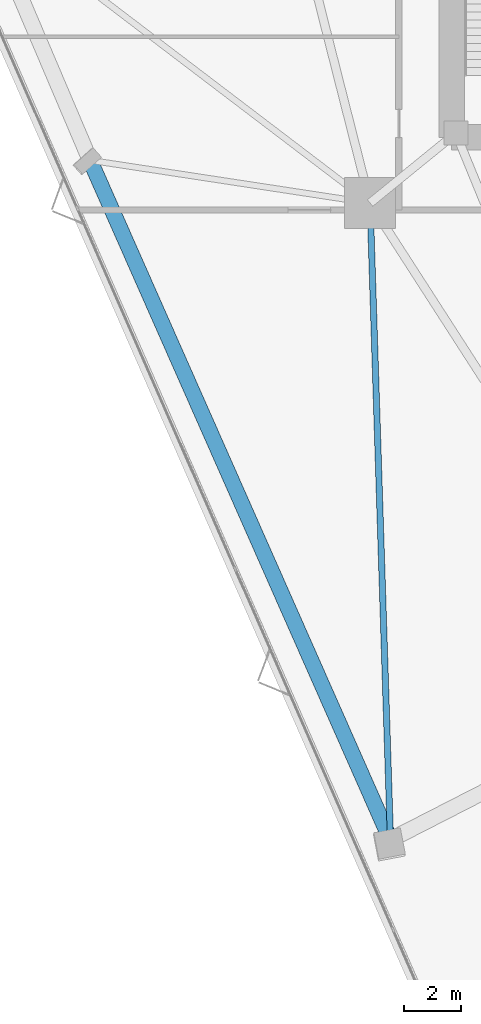
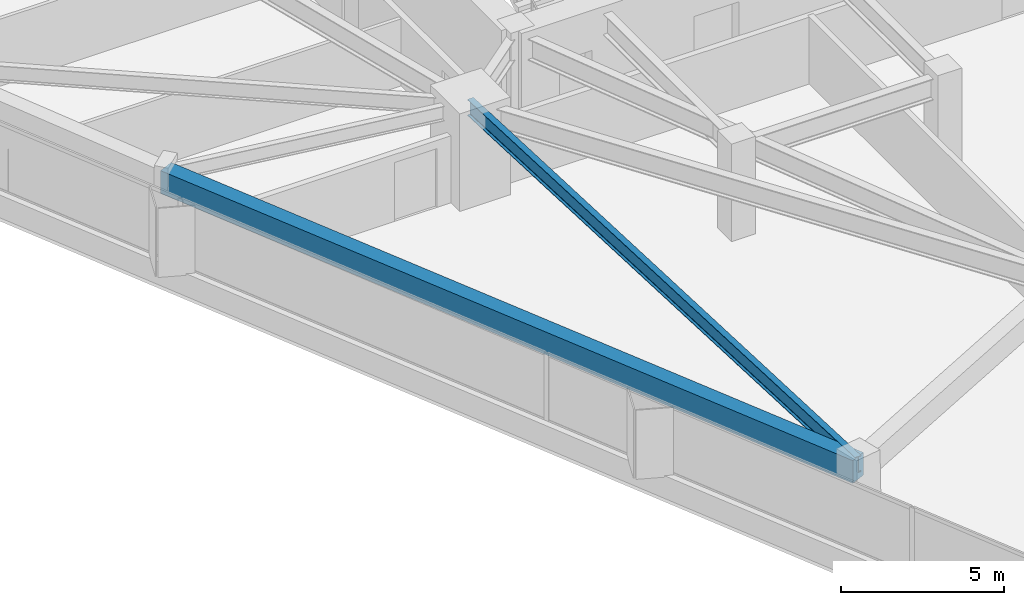
# One storey, part 3 of 20: 2 beams.
"""IFC4 building model written with IfcOpenShell, lengths in metres."""

from ifc_helpers import new_model, si_unit, direction, frame, origin, origin_2d, place, context, subcontext, project, spatial, rectangle, i_section, extrude, material, material_profile, profile_set, type_object, element, save


model = new_model("IFC4")

# Units and contexts
model_context = context("Model", 3, precision=1e-05, world=origin(), true_north=direction((0.0, 1.0)))
body_context = subcontext(model_context, "Body", "Model", "MODEL_VIEW")
ifc_project = project(units=[si_unit("LENGTHUNIT", "METRE"), si_unit("AREAUNIT", "SQUARE_METRE"), si_unit("VOLUMEUNIT", "CUBIC_METRE"), si_unit("PLANEANGLEUNIT", "RADIAN"), si_unit("MASSUNIT", "GRAM", prefix="KILO")], contexts=[model_context])

# Site, building, storey
site_placement = place(None, origin())
site = spatial("IfcSite", under=ifc_project, at=site_placement, CompositionType="ELEMENT")
building_placement = place(site_placement, origin())
building = spatial("IfcBuilding", under=site, at=building_placement, Name="Talyreon Biosciences Tower", CompositionType="ELEMENT")
storey_placement = place(building_placement, frame((0.0, 0.0, 59.300048828125)))
storey = spatial("IfcBuildingStorey", under=building, at=storey_placement, Name="L15", CompositionType="ELEMENT", Elevation=59.300048828125)

# Beams
ifc_material_1 = material(Name="Precast concrete C45/55", Category="concrete")
ifc_material_profile_1 = material_profile(ifc_material_1, rectangle(XDim=0.550048828125, YDim=0.85009765625, at=origin_2d()), Name="RCB 550x850")
ifc_profile_set_1 = profile_set([ifc_material_profile_1], Name="Precast concrete C45/55")
beam_type_1 = type_object("IfcBeamType", Name="ExpressedSpandrel_550x850", PredefinedType="SPANDREL", material=ifc_profile_set_1)
beam_1_placement = place(storey_placement, frame((45.00732421875, 60.392333984375, 2.949951171875), z_axis=(0.404410383197, -0.914577630364, 0.0), x_axis=(0.914577630364, 0.404410383197, 0.0)))
element("IfcBeam", 1, at=beam_1_placement, inside=storey, type_object=beam_type_1, Name="L15 Expressed Horizontal Concrete Spandrel 11", PredefinedType="SPANDREL", context=body_context, shape_type="SweptSolid", body=[
    extrude(rectangle(XDim=0.550048828125, YDim=0.85009765625, at=origin_2d()), origin(), (0.0, 0.0, 1.0), 26.280029296875),
])
ifc_material_2 = material(Name="Steel SM355", Category="steel")
ifc_material_profile_2 = material_profile(ifc_material_2, i_section(OverallWidth=0.219970703125, OverallDepth=0.60009765625, WebThickness=0.011962890625, FlangeThickness=0.01904296875, FilletRadius=0.02392578125, at=origin_2d()), Name="IPE600")
ifc_profile_set_2 = profile_set([ifc_material_profile_2], Name="Steel SM355")
beam_type_2 = type_object("IfcBeamType", Name="SteelJoist_IPE600", PredefinedType="JOIST", material=ifc_profile_set_2)
beam_2_placement = place(storey_placement, frame((54.913818359375, 58.88037109375, 3.074951171875), z_axis=(0.032014365542, -0.999487408825, 0.0), x_axis=(0.999487408825, 0.032014365542, 0.0)))
element("IfcBeam", 2, at=beam_2_placement, inside=storey, type_object=beam_type_2, Name="L15 Radial Composite Floor Joist PC-SW2", PredefinedType="JOIST", context=body_context, shape_type="SweptSolid", body=[
    extrude(i_section(OverallWidth=0.219970703125, OverallDepth=0.60009765625, WebThickness=0.011962890625, FlangeThickness=0.01904296875, FilletRadius=0.02392578125, at=origin_2d()), origin(), (0.0, 0.0, 1.0), 22.53466796875),
])

save(model, "model.ifc")
